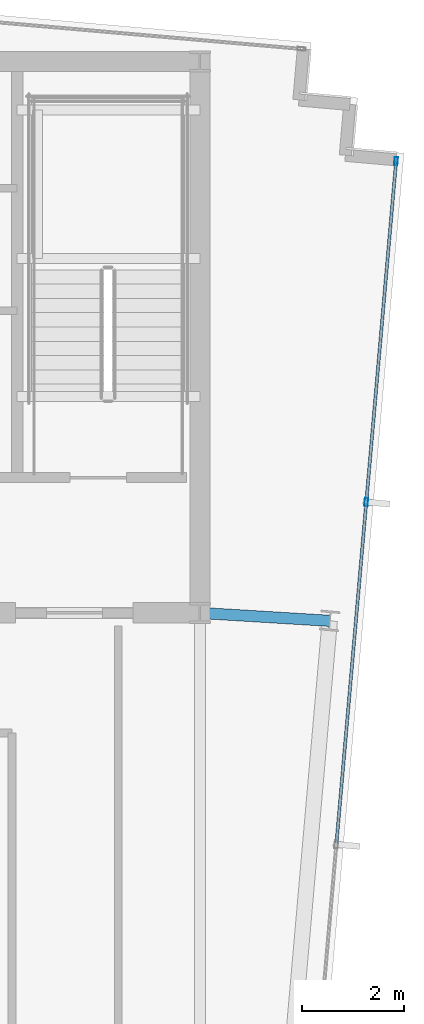
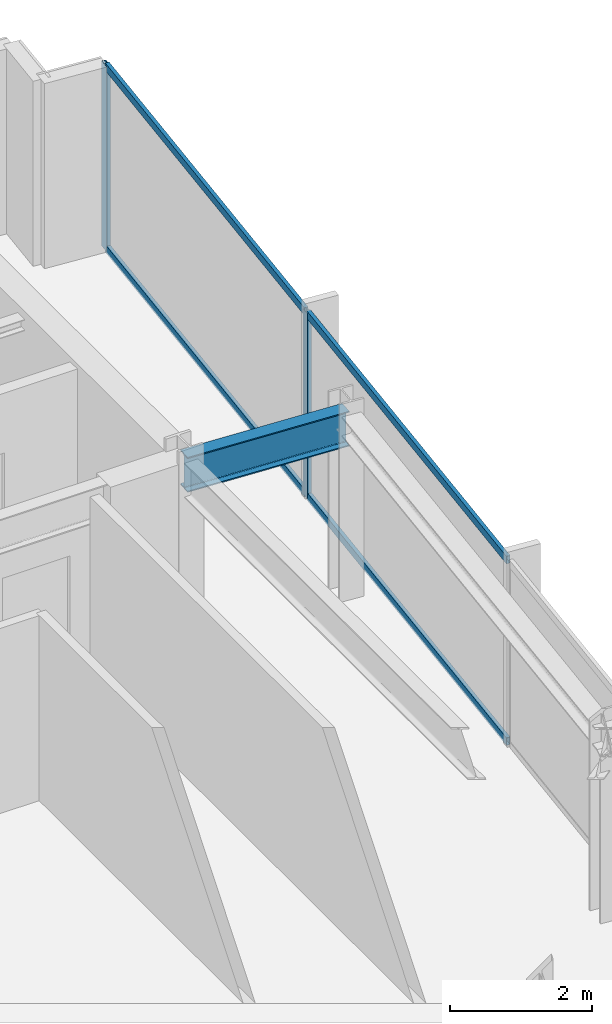
# One storey, part 21 of 32: 6 members, 1 beam, 1 element without a shape of its own.
"""IFC4 building model written with IfcOpenShell, lengths in metres."""

from ifc_helpers import new_model, si_unit, direction, frame, origin, origin_2d, place, context, subcontext, project, spatial, hollow_rectangle, i_section, extrude, material, material_profile, profile_set, type_object, element, aggregate, save


model = new_model("IFC4")

# Units and contexts
model_context = context("Model", 3, precision=1e-05, world=origin(), true_north=direction((0.0, 1.0)))
body_context = subcontext(model_context, "Body", "Model", "MODEL_VIEW")
ifc_project = project(units=[si_unit("LENGTHUNIT", "METRE"), si_unit("AREAUNIT", "SQUARE_METRE"), si_unit("VOLUMEUNIT", "CUBIC_METRE"), si_unit("PLANEANGLEUNIT", "RADIAN"), si_unit("MASSUNIT", "GRAM", prefix="KILO")], contexts=[model_context])

# Site, building, storey
site_placement = place(None, origin())
site = spatial("IfcSite", under=ifc_project, at=site_placement, CompositionType="ELEMENT")
building_placement = place(site_placement, origin())
building = spatial("IfcBuilding", under=site, at=building_placement, Name="Yelkora Congress Tower", CompositionType="ELEMENT")
storey_placement = place(building_placement, frame((0.0, 0.0, 276.10009765625)))
storey = spatial("IfcBuildingStorey", under=building, at=storey_placement, Name="L77", CompositionType="ELEMENT", Elevation=276.10009765625)

# Beam
ifc_material_1 = material(Name="Steel S355J2", Category="steel")
ifc_material_profile_1 = material_profile(ifc_material_1, i_section(OverallWidth=0.219970703125, OverallDepth=0.60009765625, WebThickness=0.011962890625, FlangeThickness=0.01904296875, FilletRadius=0.02392578125, at=origin_2d()), Name="IPE 600")
ifc_profile_set_1 = profile_set([ifc_material_profile_1], Name="Steel S355J2")
beam_type = type_object("IfcBeamType", Name="BM-GIRD-IPE600", PredefinedType="BEAM", material=ifc_profile_set_1)
beam_placement = place(storey_placement, frame((56.302001953125, 35.24560546875, 2.8798828125), z_axis=(-0.99816287892, 0.060587681471, 0.0), x_axis=(-0.060587681471, -0.99816287892, 0.0)))
element("IfcBeam", 1, at=beam_placement, inside=storey, type_object=beam_type, Name="L77 Primary Frame Girder E02", PredefinedType="BEAM", context=body_context, shape_type="SweptSolid", body=[
    extrude(i_section(OverallWidth=0.219970703125, OverallDepth=0.60009765625, WebThickness=0.011962890625, FlangeThickness=0.01904296875, FilletRadius=0.02392578125, at=origin_2d()), origin(), (0.0, 0.0, 1.0), 2.546630859375),
])

# Curtain wall, members
ifc_material_2 = material(Name="Anodised aluminium and insulated glass", Category="aluminium")
curtain_wall_type = type_object("IfcCurtainWallType", Name="CW-SYS-B5", PredefinedType="NOTDEFINED", material=ifc_material_2)
curtain_wall_placement = place(storey_placement, origin())
curtain_wall = element("IfcCurtainWall", 2, at=curtain_wall_placement, inside=storey, type_object=curtain_wall_type, Name="L77 Unitised Curtain Wall 15", PredefinedType="NOTDEFINED")
ifc_material_3 = material(Name="Anodised aluminium 6063-T6", Category="aluminium")
ifc_material_profile_2 = material_profile(ifc_material_3, hollow_rectangle(XDim=0.06494140625, YDim=0.159912109375, WallThickness=0.00390625, at=origin_2d()), Name="ALU 65x160x4")
ifc_profile_set_2 = profile_set([ifc_material_profile_2], Name="Anodised aluminium 6063-T6")
member_type_1 = type_object("IfcMemberType", Name="MEM-ML-B5", PredefinedType="MULLION", material=ifc_profile_set_2)
member_1_placement = place(storey_placement, frame((57.601318359375, 44.243896484375, 0.0), z_axis=(0.0, 0.0, 1.0), x_axis=(0.996194463398, -0.087158425264, 0.0)))
member_1 = element("IfcMember", 3, at=member_1_placement, type_object=member_type_1, Name="CW-B5 mullion 1", PredefinedType="MULLION", context=body_context, shape_type="SweptSolid", body=[
    extrude(hollow_rectangle(XDim=0.06494140625, YDim=0.159912109375, WallThickness=0.00390625, at=origin_2d()), origin(), (0.0, 0.0, 1.0), 3.179931640625),
])
member_2_placement = place(storey_placement, frame((57.017578125, 37.572021484375, 0.0), z_axis=(0.0, 0.0, 1.0), x_axis=(0.996194463398, -0.087158425264, 0.0)))
member_2 = element("IfcMember", 4, at=member_2_placement, type_object=member_type_1, Name="CW-B5 mullion 2", PredefinedType="MULLION", context=body_context, shape_type="SweptSolid", body=[
    extrude(hollow_rectangle(XDim=0.06494140625, YDim=0.159912109375, WallThickness=0.00390625, at=origin_2d()), origin(), (0.0, 0.0, 1.0), 3.179931640625),
])
ifc_material_profile_3 = material_profile(ifc_material_3, hollow_rectangle(XDim=0.06005859375, YDim=0.1298828125, WallThickness=0.00390625, at=origin_2d()), Name="ALU 60x130x4")
ifc_profile_set_3 = profile_set([ifc_material_profile_3], Name="Anodised aluminium 6063-T6")
member_type_2 = type_object("IfcMemberType", Name="MEM-TR-B5", PredefinedType="USERDEFINED", material=ifc_profile_set_3)
member_3_placement = place(storey_placement, frame((57.598388671875, 44.21142578125, 0.02978515625), z_axis=(-0.08716649365, -0.996193757451, 0.0), x_axis=(0.996193757451, -0.08716649365, 0.0)))
member_3 = element("IfcMember", 5, at=member_3_placement, type_object=member_type_2, Name="CW-B5 transom 1.1", ObjectType="TRANSOM", PredefinedType="USERDEFINED", context=body_context, shape_type="SweptSolid", body=[
    extrude(hollow_rectangle(XDim=0.06005859375, YDim=0.1298828125, WallThickness=0.00390625, at=origin_2d()), origin(), (0.0, 0.0, 1.0), 6.63232421875),
])
member_4_placement = place(storey_placement, frame((57.598388671875, 44.21142578125, 3.14990234375), z_axis=(-0.08716649365, -0.996193757451, 0.0), x_axis=(0.996193757451, -0.08716649365, 0.0)))
member_4 = element("IfcMember", 6, at=member_4_placement, type_object=member_type_2, Name="CW-B5 transom 1.2", ObjectType="TRANSOM", PredefinedType="USERDEFINED", context=body_context, shape_type="SweptSolid", body=[
    extrude(hollow_rectangle(XDim=0.06005859375, YDim=0.1298828125, WallThickness=0.00390625, at=origin_2d()), origin(), (0.0, 0.0, 1.0), 6.63232421875),
])
member_5_placement = place(storey_placement, frame((57.0146484375, 37.53955078125, 0.02978515625), z_axis=(-0.087143321513, -0.996195784731, 0.0), x_axis=(0.996195784731, -0.087143321513, 0.0)))
member_5 = element("IfcMember", 7, at=member_5_placement, type_object=member_type_2, Name="CW-B5 transom 2.1", ObjectType="TRANSOM", PredefinedType="USERDEFINED", context=body_context, shape_type="SweptSolid", body=[
    extrude(hollow_rectangle(XDim=0.06005859375, YDim=0.1298828125, WallThickness=0.00390625, at=origin_2d()), origin(), (0.0, 0.0, 1.0), 6.6650390625),
])
member_6_placement = place(storey_placement, frame((57.0146484375, 37.53955078125, 3.14990234375), z_axis=(-0.087143321513, -0.996195784731, 0.0), x_axis=(0.996195784731, -0.087143321513, 0.0)))
member_6 = element("IfcMember", 8, at=member_6_placement, type_object=member_type_2, Name="CW-B5 transom 2.2", ObjectType="TRANSOM", PredefinedType="USERDEFINED", context=body_context, shape_type="SweptSolid", body=[
    extrude(hollow_rectangle(XDim=0.06005859375, YDim=0.1298828125, WallThickness=0.00390625, at=origin_2d()), origin(), (0.0, 0.0, 1.0), 6.6650390625),
])
aggregate(curtain_wall, [member_1, member_2, member_3, member_4, member_5, member_6])

save(model, "model.ifc")
